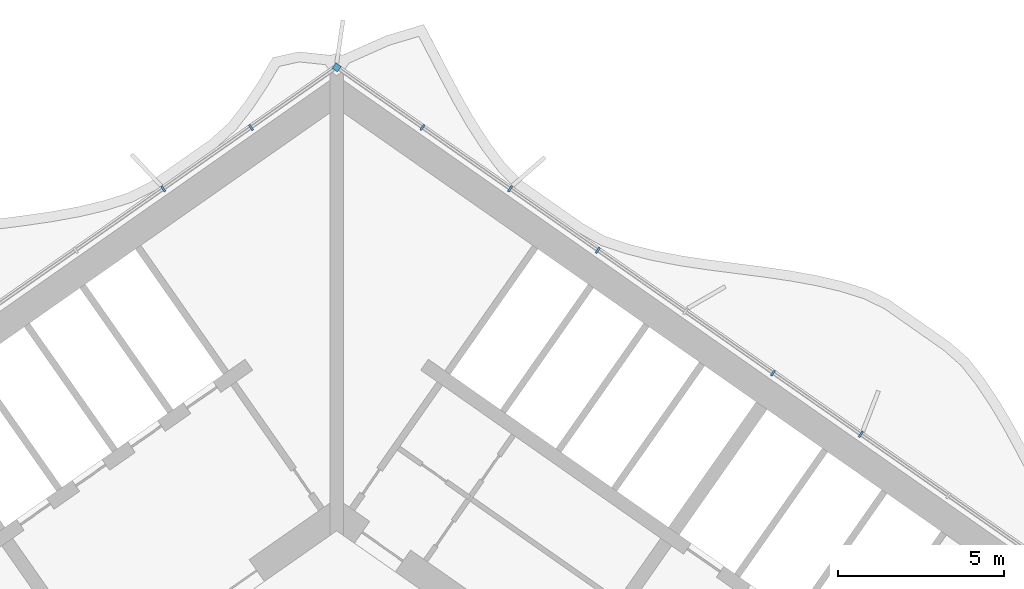
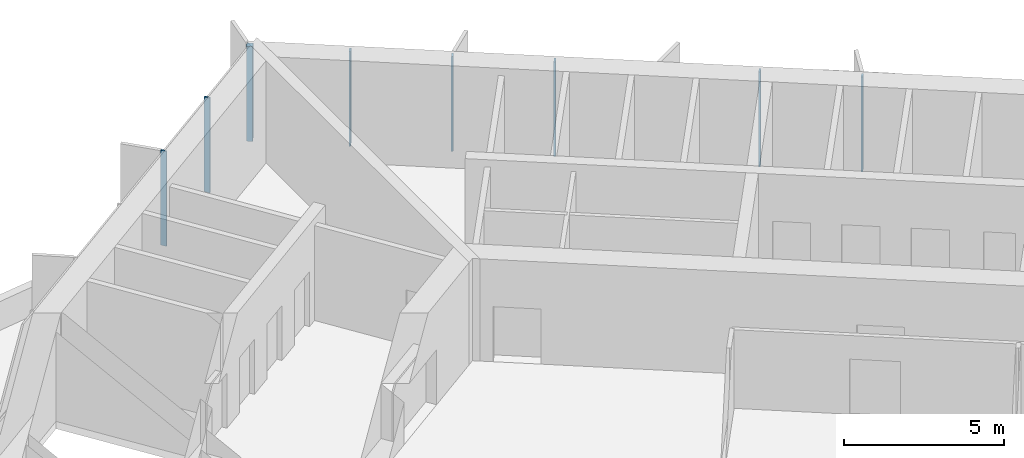
# One storey, part 9 of 23: 8 members, 1 element without a shape of its own.
"""IFC4 building model written with IfcOpenShell, lengths in metres."""

from ifc_helpers import new_model, si_unit, direction, frame, origin, origin_2d, place, context, subcontext, project, spatial, rectangle, extrude, material, material_profile, profile_set, type_object, element, aggregate, save


model = new_model("IFC4")

# Units and contexts
model_context = context("Model", 3, precision=1e-05, world=origin(), true_north=direction((0.0, 1.0)))
body_context = subcontext(model_context, "Body", "Model", "MODEL_VIEW")
ifc_project = project(units=[si_unit("LENGTHUNIT", "METRE"), si_unit("AREAUNIT", "SQUARE_METRE"), si_unit("VOLUMEUNIT", "CUBIC_METRE"), si_unit("PLANEANGLEUNIT", "RADIAN"), si_unit("MASSUNIT", "GRAM", prefix="KILO")], contexts=[model_context])

# Site, building, storey
site_placement = place(None, origin())
site = spatial("IfcSite", under=ifc_project, at=site_placement, CompositionType="ELEMENT")
building_placement = place(site_placement, origin())
building = spatial("IfcBuilding", under=site, at=building_placement, Name="Tel Ilan Convention Tower", CompositionType="ELEMENT")
storey_placement = place(building_placement, frame((0.0, 0.0, 174.89990234375)))
storey = spatial("IfcBuildingStorey", under=building, at=storey_placement, Name="L40", CompositionType="ELEMENT", Elevation=174.89990234375)

# Curtain wall, members
ifc_material_1 = material(Name="Aluminium, bronze anodised", Category="aluminium")
curtain_wall_type = type_object("IfcCurtainWallType", Name="CW2 STICK CURTAIN WALL, SPANDREL PANELS", PredefinedType="NOTDEFINED", material=ifc_material_1)
curtain_wall_placement = place(storey_placement, origin())
curtain_wall = element("IfcCurtainWall", 1, at=curtain_wall_placement, inside=storey, type_object=curtain_wall_type, Name="Curtain wall CW2-31.01", PredefinedType="NOTDEFINED")
ifc_material_2 = material(Name="Aluminium, bronze anodised", Category="aluminium")
ifc_material_profile_1 = material_profile(ifc_material_2, rectangle(XDim=0.199951171875, YDim=0.199951171875, at=origin_2d()), Name="CW CORNER MULLION 200x200")
ifc_profile_set_1 = profile_set([ifc_material_profile_1], Name="Aluminium, bronze anodised")
member_type_1 = type_object("IfcMemberType", Name="CW CORNER MULLION 200x200", PredefinedType="MULLION", material=ifc_profile_set_1)
member_1_placement = place(storey_placement, frame((0.0, 12.696044921875, 0.0), z_axis=(0.0, 0.0, 1.0), x_axis=(-0.819152044289, 0.573576436351, 0.0)))
member_1 = element("IfcMember", 2, at=member_1_placement, type_object=member_type_1, Name="Corner mullion", PredefinedType="MULLION", context=body_context, shape_type="SweptSolid", body=[
    extrude(rectangle(XDim=0.199951171875, YDim=0.199951171875, at=origin_2d()), origin(), (0.0, 0.0, 1.0), 3.6201171875),
])
ifc_material_3 = material(Name="Aluminium, bronze anodised", Category="aluminium")
ifc_material_profile_2 = material_profile(ifc_material_3, rectangle(XDim=0.06005859375, YDim=0.199951171875, at=origin_2d()), Name="CW MULLION 60x200")
ifc_profile_set_2 = profile_set([ifc_material_profile_2], Name="Aluminium, bronze anodised")
member_type_2 = type_object("IfcMemberType", Name="CW MULLION 60x200", PredefinedType="MULLION", material=ifc_profile_set_2)
member_2_placement = place(storey_placement, frame((15.73828125, 1.676025390625, 0.0), z_axis=(0.0, 0.0, 1.0), x_axis=(-0.819152044289, 0.573576436351, 0.0)))
member_2 = element("IfcMember", 3, at=member_2_placement, type_object=member_type_2, Name="Mullion", PredefinedType="MULLION", context=body_context, shape_type="SweptSolid", body=[
    extrude(rectangle(XDim=0.06005859375, YDim=0.199951171875, at=origin_2d()), origin(), (0.0, 0.0, 1.0), 3.6201171875),
])
member_3_placement = place(storey_placement, frame((13.105712890625, 3.519287109375, 0.0), z_axis=(0.0, 0.0, 1.0), x_axis=(-0.819152044289, 0.573576436351, 0.0)))
member_3 = element("IfcMember", 4, at=member_3_placement, type_object=member_type_2, Name="Mullion", PredefinedType="MULLION", context=body_context, shape_type="SweptSolid", body=[
    extrude(rectangle(XDim=0.06005859375, YDim=0.199951171875, at=origin_2d()), origin(), (0.0, 0.0, 1.0), 3.6201171875),
])
member_4_placement = place(storey_placement, frame((7.840576171875, 7.2060546875, 0.0), z_axis=(0.0, 0.0, 1.0), x_axis=(-0.819152044289, 0.573576436351, 0.0)))
member_4 = element("IfcMember", 5, at=member_4_placement, type_object=member_type_2, Name="Mullion", PredefinedType="MULLION", context=body_context, shape_type="SweptSolid", body=[
    extrude(rectangle(XDim=0.06005859375, YDim=0.199951171875, at=origin_2d()), origin(), (0.0, 0.0, 1.0), 3.6201171875),
])
member_5_placement = place(storey_placement, frame((5.207763671875, 9.049560546875, 0.0), z_axis=(0.0, 0.0, 1.0), x_axis=(-0.819152044289, 0.573576436351, 0.0)))
member_5 = element("IfcMember", 6, at=member_5_placement, type_object=member_type_2, Name="Mullion", PredefinedType="MULLION", context=body_context, shape_type="SweptSolid", body=[
    extrude(rectangle(XDim=0.06005859375, YDim=0.199951171875, at=origin_2d()), origin(), (0.0, 0.0, 1.0), 3.6201171875),
])
member_6_placement = place(storey_placement, frame((2.5751953125, 10.892822265625, 0.0), z_axis=(0.0, 0.0, 1.0), x_axis=(-0.819152044289, 0.573576436351, 0.0)))
member_6 = element("IfcMember", 7, at=member_6_placement, type_object=member_type_2, Name="Mullion", PredefinedType="MULLION", context=body_context, shape_type="SweptSolid", body=[
    extrude(rectangle(XDim=0.06005859375, YDim=0.199951171875, at=origin_2d()), origin(), (0.0, 0.0, 1.0), 3.6201171875),
])
member_7_placement = place(storey_placement, frame((-2.5751953125, 10.892822265625, 0.0), z_axis=(0.0, 0.0, 1.0), x_axis=(-0.819152044289, -0.573576436351, 0.0)))
member_7 = element("IfcMember", 8, at=member_7_placement, type_object=member_type_2, Name="Mullion", PredefinedType="MULLION", context=body_context, shape_type="SweptSolid", body=[
    extrude(rectangle(XDim=0.06005859375, YDim=0.199951171875, at=origin_2d()), origin(), (0.0, 0.0, 1.0), 3.6201171875),
])
member_8_placement = place(storey_placement, frame((-5.207763671875, 9.049560546875, 0.0), z_axis=(0.0, 0.0, 1.0), x_axis=(-0.819152044289, -0.573576436351, 0.0)))
member_8 = element("IfcMember", 9, at=member_8_placement, type_object=member_type_2, Name="Mullion", PredefinedType="MULLION", context=body_context, shape_type="SweptSolid", body=[
    extrude(rectangle(XDim=0.06005859375, YDim=0.199951171875, at=origin_2d()), origin(), (0.0, 0.0, 1.0), 3.6201171875),
])
aggregate(curtain_wall, [member_2, member_3, member_4, member_5, member_6, member_1, member_7, member_8])

save(model, "model.ifc")
